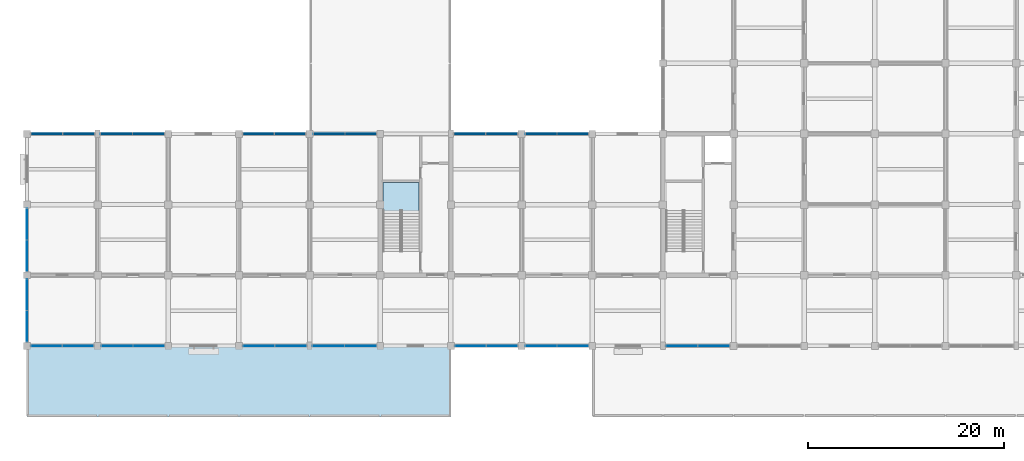
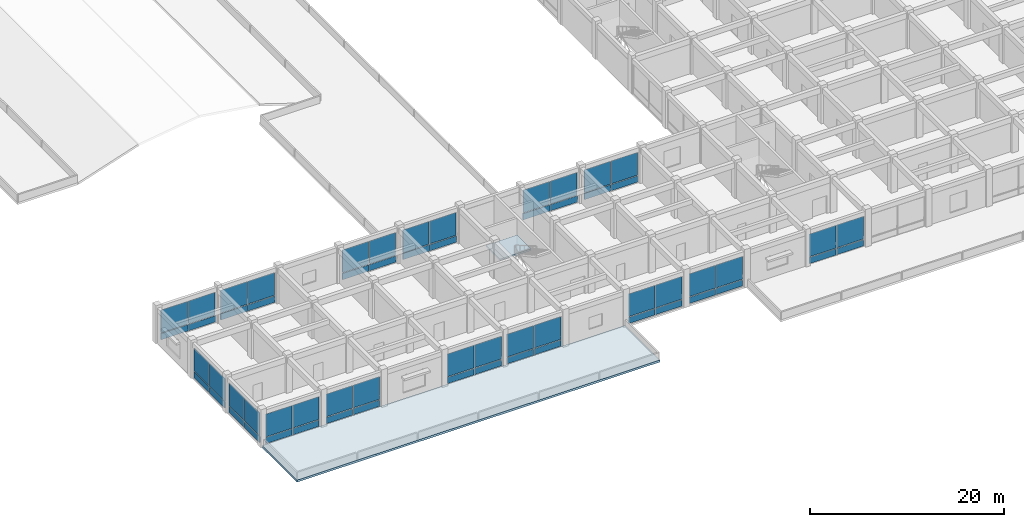
# One storey, part 14 of 30: 60 plates, 2 slabs, 16 elements without a shape of their own.
"""IFC4 building model written with IfcOpenShell, lengths in metres."""

from ifc_helpers import new_model, si_unit, direction, frame, origin, origin_2d, place, context, subcontext, project, spatial, polyline, rectangle, outline, extrude, material, layer, layer_set, type_object, element, aggregate, save


model = new_model("IFC4")

# Units and contexts
model_context = context("Model", 3, precision=1e-05, world=origin(), true_north=direction((0.0, 1.0)))
body_context = subcontext(model_context, "Body", "Model", "MODEL_VIEW")
ifc_project = project(units=[si_unit("LENGTHUNIT", "METRE"), si_unit("AREAUNIT", "SQUARE_METRE"), si_unit("VOLUMEUNIT", "CUBIC_METRE"), si_unit("PLANEANGLEUNIT", "RADIAN"), si_unit("MASSUNIT", "GRAM", prefix="KILO")], contexts=[model_context])

# Site, building, storey
site_placement = place(None, origin())
site = spatial("IfcSite", under=ifc_project, at=site_placement, CompositionType="ELEMENT")
building_placement = place(site_placement, origin())
building = spatial("IfcBuilding", under=site, at=building_placement, Name="Cendaluz Park School", CompositionType="ELEMENT")
storey_placement = place(building_placement, frame((0.0, 0.0, 9.60009765625)))
storey = spatial("IfcBuildingStorey", under=building, at=storey_placement, Name="L02", CompositionType="ELEMENT", Elevation=9.60009765625)

# Curtain wall, plates
ifc_material_1 = material(Name="Anodised Aluminium 6063-T6", Category="aluminium")
ifc_layer_1 = layer(ifc_material_1, 0.179931640625)
ifc_layer_set_1 = layer_set([ifc_layer_1], Name="Anodised Aluminium 6063-T6")
curtain_wall_type_1 = type_object("IfcCurtainWallType", Name="CW-130x78", PredefinedType="NOTDEFINED", material=ifc_layer_set_1)
curtain_wall_1_placement = place(storey_placement, origin())
curtain_wall_1 = element("IfcCurtainWall", 1, at=curtain_wall_1_placement, inside=storey, type_object=curtain_wall_type_1, Name="CW-L02-094", PredefinedType="NOTDEFINED")
ifc_material_2 = material(Name="Tempered Low-E Double Glazing", Category="glass")
ifc_layer_2 = layer(ifc_material_2, 0.028076171875)
ifc_layer_set_2 = layer_set([ifc_layer_2], Name="Tempered Low-E Double Glazing")
plate_type_1 = type_object("IfcPlateType", Name="CWP-G01", PredefinedType="CURTAIN_PANEL", material=ifc_layer_set_2)
plate_1_placement = place(storey_placement, frame((9.195068359375, 7.199951171875, 0.93994140625), z_axis=(0.0, 0.0, 1.0), x_axis=(1.0, 0.0, 0.0)))
plate_1 = element("IfcPlate", 2, at=plate_1_placement, type_object=plate_type_1, Name="CP-L02-1217", PredefinedType="CURTAIN_PANEL", context=body_context, shape_type="SweptSolid", body=[
    extrude(rectangle(XDim=3.1298828125, YDim=0.028076171875, at=origin_2d()), origin(), (0.0, 0.0, 1.0), 2.860107421875),
])
plate_2_placement = place(storey_placement, frame((12.405029296875, 7.199951171875, 0.93994140625), z_axis=(0.0, 0.0, 1.0), x_axis=(1.0, 0.0, 0.0)))
plate_2 = element("IfcPlate", 3, at=plate_2_placement, type_object=plate_type_1, Name="CP-L02-1222", PredefinedType="CURTAIN_PANEL", context=body_context, shape_type="SweptSolid", body=[
    extrude(rectangle(XDim=3.1298828125, YDim=0.028076171875, at=origin_2d()), origin(), (0.0, 0.0, 1.0), 2.860107421875),
])

ifc_layer_3 = layer(ifc_material_1, 0.179931640625)
ifc_layer_set_3 = layer_set([ifc_layer_3], Name="Anodised Aluminium 6063-T6")
curtain_wall_type_2 = type_object("IfcCurtainWallType", Name="CW-132x78", PredefinedType="NOTDEFINED", material=ifc_layer_set_3)
curtain_wall_2_placement = place(storey_placement, origin())
curtain_wall_2 = element("IfcCurtainWall", 4, at=curtain_wall_2_placement, inside=storey, type_object=curtain_wall_type_2, Name="CW-L02-095", PredefinedType="NOTDEFINED")
plate_3_placement = place(storey_placement, frame((9.1201171875, 28.800048828125, 0.93994140625), z_axis=(0.0, 0.0, 1.0), x_axis=(1.0, 0.0, 0.0)))
plate_3 = element("IfcPlate", 5, at=plate_3_placement, type_object=plate_type_1, Name="CP-L02-1230", PredefinedType="CURTAIN_PANEL", context=body_context, shape_type="SweptSolid", body=[
    extrude(rectangle(XDim=3.179931640625, YDim=0.028076171875, at=origin_2d()), origin(), (0.0, 0.0, 1.0), 2.860107421875),
])
plate_4_placement = place(storey_placement, frame((12.3798828125, 28.800048828125, 0.93994140625), z_axis=(0.0, 0.0, 1.0), x_axis=(1.0, 0.0, 0.0)))
plate_4 = element("IfcPlate", 6, at=plate_4_placement, type_object=plate_type_1, Name="CP-L02-1235", PredefinedType="CURTAIN_PANEL", context=body_context, shape_type="SweptSolid", body=[
    extrude(rectangle(XDim=3.179931640625, YDim=0.028076171875, at=origin_2d()), origin(), (0.0, 0.0, 1.0), 2.860107421875),
])

curtain_wall_3_placement = place(storey_placement, origin())
curtain_wall_3 = element("IfcCurtainWall", 7, at=curtain_wall_3_placement, inside=storey, type_object=curtain_wall_type_2, Name="CW-L02-104", PredefinedType="NOTDEFINED")
plate_5_placement = place(storey_placement, frame((66.719970703125, 7.199951171875, 0.93994140625), z_axis=(0.0, 0.0, 1.0), x_axis=(1.0, 0.0, 0.0)))
plate_5 = element("IfcPlate", 8, at=plate_5_placement, type_object=plate_type_1, Name="CP-L02-1347", PredefinedType="CURTAIN_PANEL", context=body_context, shape_type="SweptSolid", body=[
    extrude(rectangle(XDim=3.179931640625, YDim=0.028076171875, at=origin_2d()), origin(), (0.0, 0.0, 1.0), 2.860107421875),
])
plate_6_placement = place(storey_placement, frame((69.97998046875, 7.199951171875, 0.93994140625), z_axis=(0.0, 0.0, 1.0), x_axis=(1.0, 0.0, 0.0)))
plate_6 = element("IfcPlate", 9, at=plate_6_placement, type_object=plate_type_1, Name="CP-L02-1352", PredefinedType="CURTAIN_PANEL", context=body_context, shape_type="SweptSolid", body=[
    extrude(rectangle(XDim=3.179931640625, YDim=0.028076171875, at=origin_2d()), origin(), (0.0, 0.0, 1.0), 2.860107421875),
])

curtain_wall_4_placement = place(storey_placement, origin())
curtain_wall_4 = element("IfcCurtainWall", 10, at=curtain_wall_4_placement, inside=storey, type_object=curtain_wall_type_1, Name="CW-L02-100", PredefinedType="NOTDEFINED")
ifc_layer_4 = layer(ifc_material_2, 0.0380859375)
ifc_layer_set_4 = layer_set([ifc_layer_4], Name="Tempered Low-E Double Glazing")
plate_type_2 = type_object("IfcPlateType", Name="CWP-G02", PredefinedType="CURTAIN_PANEL", material=ifc_layer_set_4)
plate_7_placement = place(storey_placement, frame((45.195068359375, 7.199951171875, 0.93994140625), z_axis=(0.0, 0.0, 1.0), x_axis=(1.0, 0.0, 0.0)))
plate_7 = element("IfcPlate", 11, at=plate_7_placement, type_object=plate_type_2, Name="CP-L02-1295", PredefinedType="CURTAIN_PANEL", context=body_context, shape_type="SweptSolid", body=[
    extrude(rectangle(XDim=3.1298828125, YDim=0.0380859375, at=origin_2d()), origin(), (0.0, 0.0, 1.0), 2.860107421875),
])
plate_8_placement = place(storey_placement, frame((48.405029296875, 7.199951171875, 0.93994140625), z_axis=(0.0, 0.0, 1.0), x_axis=(1.0, 0.0, 0.0)))
plate_8 = element("IfcPlate", 12, at=plate_8_placement, type_object=plate_type_2, Name="CP-L02-1300", PredefinedType="CURTAIN_PANEL", context=body_context, shape_type="SweptSolid", body=[
    extrude(rectangle(XDim=3.1298828125, YDim=0.0380859375, at=origin_2d()), origin(), (0.0, 0.0, 1.0), 2.860107421875),
])

curtain_wall_5_placement = place(storey_placement, origin())
curtain_wall_5 = element("IfcCurtainWall", 13, at=curtain_wall_5_placement, inside=storey, type_object=curtain_wall_type_2, Name="CW-L02-101", PredefinedType="NOTDEFINED")
plate_9_placement = place(storey_placement, frame((45.1201171875, 28.800048828125, 0.93994140625), z_axis=(0.0, 0.0, 1.0), x_axis=(1.0, 0.0, 0.0)))
plate_9 = element("IfcPlate", 14, at=plate_9_placement, type_object=plate_type_2, Name="CP-L02-1308", PredefinedType="CURTAIN_PANEL", context=body_context, shape_type="SweptSolid", body=[
    extrude(rectangle(XDim=3.179931640625, YDim=0.0380859375, at=origin_2d()), origin(), (0.0, 0.0, 1.0), 2.860107421875),
])
plate_10_placement = place(storey_placement, frame((48.3798828125, 28.800048828125, 0.93994140625), z_axis=(0.0, 0.0, 1.0), x_axis=(1.0, 0.0, 0.0)))
plate_10 = element("IfcPlate", 15, at=plate_10_placement, type_object=plate_type_2, Name="CP-L02-1313", PredefinedType="CURTAIN_PANEL", context=body_context, shape_type="SweptSolid", body=[
    extrude(rectangle(XDim=3.179931640625, YDim=0.0380859375, at=origin_2d()), origin(), (0.0, 0.0, 1.0), 2.860107421875),
])

curtain_wall_6_placement = place(storey_placement, origin())
curtain_wall_6 = element("IfcCurtainWall", 16, at=curtain_wall_6_placement, inside=storey, type_object=curtain_wall_type_2, Name="CW-L02-096", PredefinedType="NOTDEFINED")
ifc_layer_5 = layer(ifc_material_2, 0.048095703125)
ifc_layer_set_5 = layer_set([ifc_layer_5], Name="Tempered Low-E Double Glazing")
plate_type_3 = type_object("IfcPlateType", Name="CWP-G03", PredefinedType="CURTAIN_PANEL", material=ifc_layer_set_5)
plate_11_placement = place(storey_placement, frame((23.6201171875, 7.199951171875, 0.93994140625), z_axis=(0.0, 0.0, 1.0), x_axis=(1.0, 0.0, 0.0)))
plate_11 = element("IfcPlate", 17, at=plate_11_placement, type_object=plate_type_3, Name="CP-L02-1243", PredefinedType="CURTAIN_PANEL", context=body_context, shape_type="SweptSolid", body=[
    extrude(rectangle(XDim=3.179931640625, YDim=0.048095703125, at=origin_2d()), origin(), (0.0, 0.0, 1.0), 2.860107421875),
])
plate_12_placement = place(storey_placement, frame((26.8798828125, 7.199951171875, 0.93994140625), z_axis=(0.0, 0.0, 1.0), x_axis=(1.0, 0.0, 0.0)))
plate_12 = element("IfcPlate", 18, at=plate_12_placement, type_object=plate_type_3, Name="CP-L02-1248", PredefinedType="CURTAIN_PANEL", context=body_context, shape_type="SweptSolid", body=[
    extrude(rectangle(XDim=3.179931640625, YDim=0.048095703125, at=origin_2d()), origin(), (0.0, 0.0, 1.0), 2.860107421875),
])

curtain_wall_7_placement = place(storey_placement, origin())
curtain_wall_7 = element("IfcCurtainWall", 19, at=curtain_wall_7_placement, inside=storey, type_object=curtain_wall_type_1, Name="CW-L02-097", PredefinedType="NOTDEFINED")
plate_13_placement = place(storey_placement, frame((23.594970703125, 28.800048828125, 0.93994140625), z_axis=(0.0, 0.0, 1.0), x_axis=(1.0, 0.0, 0.0)))
plate_13 = element("IfcPlate", 20, at=plate_13_placement, type_object=plate_type_3, Name="CP-L02-1256", PredefinedType="CURTAIN_PANEL", context=body_context, shape_type="SweptSolid", body=[
    extrude(rectangle(XDim=3.1298828125, YDim=0.048095703125, at=origin_2d()), origin(), (0.0, 0.0, 1.0), 2.860107421875),
])
plate_14_placement = place(storey_placement, frame((26.804931640625, 28.800048828125, 0.93994140625), z_axis=(0.0, 0.0, 1.0), x_axis=(1.0, 0.0, 0.0)))
plate_14 = element("IfcPlate", 21, at=plate_14_placement, type_object=plate_type_3, Name="CP-L02-1261", PredefinedType="CURTAIN_PANEL", context=body_context, shape_type="SweptSolid", body=[
    extrude(rectangle(XDim=3.1298828125, YDim=0.048095703125, at=origin_2d()), origin(), (0.0, 0.0, 1.0), 2.860107421875),
])

curtain_wall_8_placement = place(storey_placement, origin())
curtain_wall_8 = element("IfcCurtainWall", 22, at=curtain_wall_8_placement, inside=storey, type_object=curtain_wall_type_1, Name="CW-L02-102", PredefinedType="NOTDEFINED")
plate_15_placement = place(storey_placement, frame((52.39501953125, 7.199951171875, 0.93994140625), z_axis=(0.0, 0.0, 1.0), x_axis=(1.0, 0.0, 0.0)))
plate_15 = element("IfcPlate", 23, at=plate_15_placement, type_object=plate_type_3, Name="CP-L02-1321", PredefinedType="CURTAIN_PANEL", context=body_context, shape_type="SweptSolid", body=[
    extrude(rectangle(XDim=3.1298828125, YDim=0.048095703125, at=origin_2d()), origin(), (0.0, 0.0, 1.0), 2.860107421875),
])
plate_16_placement = place(storey_placement, frame((55.60498046875, 7.199951171875, 0.93994140625), z_axis=(0.0, 0.0, 1.0), x_axis=(1.0, 0.0, 0.0)))
plate_16 = element("IfcPlate", 24, at=plate_16_placement, type_object=plate_type_3, Name="CP-L02-1326", PredefinedType="CURTAIN_PANEL", context=body_context, shape_type="SweptSolid", body=[
    extrude(rectangle(XDim=3.1298828125, YDim=0.048095703125, at=origin_2d()), origin(), (0.0, 0.0, 1.0), 2.860107421875),
])

curtain_wall_9_placement = place(storey_placement, origin())
curtain_wall_9 = element("IfcCurtainWall", 25, at=curtain_wall_9_placement, inside=storey, type_object=curtain_wall_type_1, Name="CW-L02-103", PredefinedType="NOTDEFINED")
plate_17_placement = place(storey_placement, frame((52.39501953125, 28.800048828125, 0.93994140625), z_axis=(0.0, 0.0, 1.0), x_axis=(1.0, 0.0, 0.0)))
plate_17 = element("IfcPlate", 26, at=plate_17_placement, type_object=plate_type_3, Name="CP-L02-1334", PredefinedType="CURTAIN_PANEL", context=body_context, shape_type="SweptSolid", body=[
    extrude(rectangle(XDim=3.1298828125, YDim=0.048095703125, at=origin_2d()), origin(), (0.0, 0.0, 1.0), 2.860107421875),
])
plate_18_placement = place(storey_placement, frame((55.60498046875, 28.800048828125, 0.93994140625), z_axis=(0.0, 0.0, 1.0), x_axis=(1.0, 0.0, 0.0)))
plate_18 = element("IfcPlate", 27, at=plate_18_placement, type_object=plate_type_3, Name="CP-L02-1339", PredefinedType="CURTAIN_PANEL", context=body_context, shape_type="SweptSolid", body=[
    extrude(rectangle(XDim=3.1298828125, YDim=0.048095703125, at=origin_2d()), origin(), (0.0, 0.0, 1.0), 2.860107421875),
])

curtain_wall_10_placement = place(storey_placement, origin())
curtain_wall_10 = element("IfcCurtainWall", 28, at=curtain_wall_10_placement, inside=storey, type_object=curtain_wall_type_1, Name="CW-L02-090", PredefinedType="NOTDEFINED")
ifc_layer_6 = layer(ifc_material_2, 0.05810546875)
ifc_layer_set_6 = layer_set([ifc_layer_6], Name="Tempered Low-E Double Glazing")
plate_type_4 = type_object("IfcPlateType", Name="CWP-G04", PredefinedType="CURTAIN_PANEL", material=ifc_layer_set_6)
plate_19_placement = place(storey_placement, frame((1.9951171875, 7.199951171875, 0.93994140625), z_axis=(0.0, 0.0, 1.0), x_axis=(1.0, 0.0, 0.0)))
plate_19 = element("IfcPlate", 29, at=plate_19_placement, type_object=plate_type_4, Name="CP-L02-1165", PredefinedType="CURTAIN_PANEL", context=body_context, shape_type="SweptSolid", body=[
    extrude(rectangle(XDim=3.1298828125, YDim=0.05810546875, at=origin_2d()), origin(), (0.0, 0.0, 1.0), 2.860107421875),
])
plate_20_placement = place(storey_placement, frame((5.205078125, 7.199951171875, 0.93994140625), z_axis=(0.0, 0.0, 1.0), x_axis=(1.0, 0.0, 0.0)))
plate_20 = element("IfcPlate", 30, at=plate_20_placement, type_object=plate_type_4, Name="CP-L02-1170", PredefinedType="CURTAIN_PANEL", context=body_context, shape_type="SweptSolid", body=[
    extrude(rectangle(XDim=3.1298828125, YDim=0.05810546875, at=origin_2d()), origin(), (0.0, 0.0, 1.0), 2.860107421875),
])

curtain_wall_11_placement = place(storey_placement, origin())
curtain_wall_11 = element("IfcCurtainWall", 31, at=curtain_wall_11_placement, inside=storey, type_object=curtain_wall_type_1, Name="CW-L02-091", PredefinedType="NOTDEFINED")
plate_21_placement = place(storey_placement, frame((0.0, 9.195068359375, 0.93994140625), z_axis=(0.0, 0.0, 1.0), x_axis=(0.0, 1.0, 0.0)))
plate_21 = element("IfcPlate", 32, at=plate_21_placement, type_object=plate_type_4, Name="CP-L02-1178", PredefinedType="CURTAIN_PANEL", context=body_context, shape_type="SweptSolid", body=[
    extrude(rectangle(XDim=3.1298828125, YDim=0.05810546875, at=origin_2d()), origin(), (0.0, 0.0, 1.0), 2.860107421875),
])
plate_22_placement = place(storey_placement, frame((0.0, 12.405029296875, 0.93994140625), z_axis=(0.0, 0.0, 1.0), x_axis=(0.0, 1.0, 0.0)))
plate_22 = element("IfcPlate", 33, at=plate_22_placement, type_object=plate_type_4, Name="CP-L02-1183", PredefinedType="CURTAIN_PANEL", context=body_context, shape_type="SweptSolid", body=[
    extrude(rectangle(XDim=3.1298828125, YDim=0.05810546875, at=origin_2d()), origin(), (0.0, 0.0, 1.0), 2.860107421875),
])

curtain_wall_12_placement = place(storey_placement, origin())
curtain_wall_12 = element("IfcCurtainWall", 34, at=curtain_wall_12_placement, inside=storey, type_object=curtain_wall_type_1, Name="CW-L02-092", PredefinedType="NOTDEFINED")
plate_23_placement = place(storey_placement, frame((0.0, 16.39501953125, 0.93994140625), z_axis=(0.0, 0.0, 1.0), x_axis=(0.0, 1.0, 0.0)))
plate_23 = element("IfcPlate", 35, at=plate_23_placement, type_object=plate_type_4, Name="CP-L02-1191", PredefinedType="CURTAIN_PANEL", context=body_context, shape_type="SweptSolid", body=[
    extrude(rectangle(XDim=3.1298828125, YDim=0.05810546875, at=origin_2d()), origin(), (0.0, 0.0, 1.0), 2.860107421875),
])
plate_24_placement = place(storey_placement, frame((0.0, 19.60498046875, 0.93994140625), z_axis=(0.0, 0.0, 1.0), x_axis=(0.0, 1.0, 0.0)))
plate_24 = element("IfcPlate", 36, at=plate_24_placement, type_object=plate_type_4, Name="CP-L02-1196", PredefinedType="CURTAIN_PANEL", context=body_context, shape_type="SweptSolid", body=[
    extrude(rectangle(XDim=3.1298828125, YDim=0.05810546875, at=origin_2d()), origin(), (0.0, 0.0, 1.0), 2.860107421875),
])

curtain_wall_13_placement = place(storey_placement, origin())
curtain_wall_13 = element("IfcCurtainWall", 37, at=curtain_wall_13_placement, inside=storey, type_object=curtain_wall_type_2, Name="CW-L02-093", PredefinedType="NOTDEFINED")
plate_25_placement = place(storey_placement, frame((2.02001953125, 28.800048828125, 0.93994140625), z_axis=(0.0, 0.0, 1.0), x_axis=(1.0, 0.0, 0.0)))
plate_25 = element("IfcPlate", 38, at=plate_25_placement, type_object=plate_type_4, Name="CP-L02-1204", PredefinedType="CURTAIN_PANEL", context=body_context, shape_type="SweptSolid", body=[
    extrude(rectangle(XDim=3.179931640625, YDim=0.05810546875, at=origin_2d()), origin(), (0.0, 0.0, 1.0), 2.860107421875),
])
plate_26_placement = place(storey_placement, frame((5.280029296875, 28.800048828125, 0.93994140625), z_axis=(0.0, 0.0, 1.0), x_axis=(1.0, 0.0, 0.0)))
plate_26 = element("IfcPlate", 39, at=plate_26_placement, type_object=plate_type_4, Name="CP-L02-1209", PredefinedType="CURTAIN_PANEL", context=body_context, shape_type="SweptSolid", body=[
    extrude(rectangle(XDim=3.179931640625, YDim=0.05810546875, at=origin_2d()), origin(), (0.0, 0.0, 1.0), 2.860107421875),
])

curtain_wall_14_placement = place(storey_placement, origin())
curtain_wall_14 = element("IfcCurtainWall", 40, at=curtain_wall_14_placement, inside=storey, type_object=curtain_wall_type_2, Name="CW-L02-098", PredefinedType="NOTDEFINED")
plate_27_placement = place(storey_placement, frame((30.719970703125, 7.199951171875, 0.93994140625), z_axis=(0.0, 0.0, 1.0), x_axis=(1.0, 0.0, 0.0)))
plate_27 = element("IfcPlate", 41, at=plate_27_placement, type_object=plate_type_4, Name="CP-L02-1269", PredefinedType="CURTAIN_PANEL", context=body_context, shape_type="SweptSolid", body=[
    extrude(rectangle(XDim=3.179931640625, YDim=0.05810546875, at=origin_2d()), origin(), (0.0, 0.0, 1.0), 2.860107421875),
])
plate_28_placement = place(storey_placement, frame((33.97998046875, 7.199951171875, 0.93994140625), z_axis=(0.0, 0.0, 1.0), x_axis=(1.0, 0.0, 0.0)))
plate_28 = element("IfcPlate", 42, at=plate_28_placement, type_object=plate_type_4, Name="CP-L02-1274", PredefinedType="CURTAIN_PANEL", context=body_context, shape_type="SweptSolid", body=[
    extrude(rectangle(XDim=3.179931640625, YDim=0.05810546875, at=origin_2d()), origin(), (0.0, 0.0, 1.0), 2.860107421875),
])

curtain_wall_15_placement = place(storey_placement, origin())
curtain_wall_15 = element("IfcCurtainWall", 43, at=curtain_wall_15_placement, inside=storey, type_object=curtain_wall_type_1, Name="CW-L02-099", PredefinedType="NOTDEFINED")
plate_29_placement = place(storey_placement, frame((30.794921875, 28.800048828125, 0.93994140625), z_axis=(0.0, 0.0, 1.0), x_axis=(1.0, 0.0, 0.0)))
plate_29 = element("IfcPlate", 44, at=plate_29_placement, type_object=plate_type_4, Name="CP-L02-1282", PredefinedType="CURTAIN_PANEL", context=body_context, shape_type="SweptSolid", body=[
    extrude(rectangle(XDim=3.1298828125, YDim=0.05810546875, at=origin_2d()), origin(), (0.0, 0.0, 1.0), 2.860107421875),
])
plate_30_placement = place(storey_placement, frame((34.0048828125, 28.800048828125, 0.93994140625), z_axis=(0.0, 0.0, 1.0), x_axis=(1.0, 0.0, 0.0)))
plate_30 = element("IfcPlate", 45, at=plate_30_placement, type_object=plate_type_4, Name="CP-L02-1287", PredefinedType="CURTAIN_PANEL", context=body_context, shape_type="SweptSolid", body=[
    extrude(rectangle(XDim=3.1298828125, YDim=0.05810546875, at=origin_2d()), origin(), (0.0, 0.0, 1.0), 2.860107421875),
])

# Plate
ifc_layer_7 = layer(ifc_material_1, 0.080078125)
ifc_layer_set_7 = layer_set([ifc_layer_7], Name="Anodised Aluminium 6063-T6")
plate_type_5 = type_object("IfcPlateType", Name="CWP-S01", PredefinedType="CURTAIN_PANEL", material=ifc_layer_set_7)
plate_31_placement = place(storey_placement, frame((1.9951171875, 7.199951171875, 0.080078125), z_axis=(0.0, 0.0, 1.0), x_axis=(1.0, 0.0, 0.0)))
plate_31 = element("IfcPlate", 46, at=plate_31_placement, type_object=plate_type_5, Name="CP-L02-1164", PredefinedType="CURTAIN_PANEL", context=body_context, shape_type="SweptSolid", body=[
    extrude(rectangle(XDim=3.1298828125, YDim=0.080078125, at=origin_2d()), origin(), (0.0, 0.0, 1.0), 0.780029296875),
])

plate_32_placement = place(storey_placement, frame((5.205078125, 7.199951171875, 0.080078125), z_axis=(0.0, 0.0, 1.0), x_axis=(1.0, 0.0, 0.0)))
plate_32 = element("IfcPlate", 47, at=plate_32_placement, type_object=plate_type_5, Name="CP-L02-1169", PredefinedType="CURTAIN_PANEL", context=body_context, shape_type="SweptSolid", body=[
    extrude(rectangle(XDim=3.1298828125, YDim=0.080078125, at=origin_2d()), origin(), (0.0, 0.0, 1.0), 0.780029296875),
])

aggregate(curtain_wall_10, [plate_31, plate_19, plate_32, plate_20])

plate_33_placement = place(storey_placement, frame((0.0, 9.195068359375, 0.080078125), z_axis=(0.0, 0.0, 1.0), x_axis=(0.0, 1.0, 0.0)))
plate_33 = element("IfcPlate", 48, at=plate_33_placement, type_object=plate_type_5, Name="CP-L02-1177", PredefinedType="CURTAIN_PANEL", context=body_context, shape_type="SweptSolid", body=[
    extrude(rectangle(XDim=3.1298828125, YDim=0.080078125, at=origin_2d()), origin(), (0.0, 0.0, 1.0), 0.780029296875),
])

plate_34_placement = place(storey_placement, frame((0.0, 12.405029296875, 0.080078125), z_axis=(0.0, 0.0, 1.0), x_axis=(0.0, 1.0, 0.0)))
plate_34 = element("IfcPlate", 49, at=plate_34_placement, type_object=plate_type_5, Name="CP-L02-1182", PredefinedType="CURTAIN_PANEL", context=body_context, shape_type="SweptSolid", body=[
    extrude(rectangle(XDim=3.1298828125, YDim=0.080078125, at=origin_2d()), origin(), (0.0, 0.0, 1.0), 0.780029296875),
])

aggregate(curtain_wall_11, [plate_33, plate_21, plate_34, plate_22])

plate_35_placement = place(storey_placement, frame((9.195068359375, 7.199951171875, 0.080078125), z_axis=(0.0, 0.0, 1.0), x_axis=(1.0, 0.0, 0.0)))
plate_35 = element("IfcPlate", 50, at=plate_35_placement, type_object=plate_type_5, Name="CP-L02-1216", PredefinedType="CURTAIN_PANEL", context=body_context, shape_type="SweptSolid", body=[
    extrude(rectangle(XDim=3.1298828125, YDim=0.080078125, at=origin_2d()), origin(), (0.0, 0.0, 1.0), 0.780029296875),
])

plate_36_placement = place(storey_placement, frame((12.405029296875, 7.199951171875, 0.080078125), z_axis=(0.0, 0.0, 1.0), x_axis=(1.0, 0.0, 0.0)))
plate_36 = element("IfcPlate", 51, at=plate_36_placement, type_object=plate_type_5, Name="CP-L02-1221", PredefinedType="CURTAIN_PANEL", context=body_context, shape_type="SweptSolid", body=[
    extrude(rectangle(XDim=3.1298828125, YDim=0.080078125, at=origin_2d()), origin(), (0.0, 0.0, 1.0), 0.780029296875),
])

aggregate(curtain_wall_1, [plate_35, plate_1, plate_36, plate_2])

plate_37_placement = place(storey_placement, frame((23.6201171875, 7.199951171875, 0.080078125), z_axis=(0.0, 0.0, 1.0), x_axis=(1.0, 0.0, 0.0)))
plate_37 = element("IfcPlate", 52, at=plate_37_placement, type_object=plate_type_5, Name="CP-L02-1242", PredefinedType="CURTAIN_PANEL", context=body_context, shape_type="SweptSolid", body=[
    extrude(rectangle(XDim=3.179931640625, YDim=0.080078125, at=origin_2d()), origin(), (0.0, 0.0, 1.0), 0.780029296875),
])

plate_38_placement = place(storey_placement, frame((26.8798828125, 7.199951171875, 0.080078125), z_axis=(0.0, 0.0, 1.0), x_axis=(1.0, 0.0, 0.0)))
plate_38 = element("IfcPlate", 53, at=plate_38_placement, type_object=plate_type_5, Name="CP-L02-1247", PredefinedType="CURTAIN_PANEL", context=body_context, shape_type="SweptSolid", body=[
    extrude(rectangle(XDim=3.179931640625, YDim=0.080078125, at=origin_2d()), origin(), (0.0, 0.0, 1.0), 0.780029296875),
])

aggregate(curtain_wall_6, [plate_37, plate_11, plate_38, plate_12])

plate_39_placement = place(storey_placement, frame((30.719970703125, 7.199951171875, 0.080078125), z_axis=(0.0, 0.0, 1.0), x_axis=(1.0, 0.0, 0.0)))
plate_39 = element("IfcPlate", 54, at=plate_39_placement, type_object=plate_type_5, Name="CP-L02-1268", PredefinedType="CURTAIN_PANEL", context=body_context, shape_type="SweptSolid", body=[
    extrude(rectangle(XDim=3.179931640625, YDim=0.080078125, at=origin_2d()), origin(), (0.0, 0.0, 1.0), 0.780029296875),
])

plate_40_placement = place(storey_placement, frame((33.97998046875, 7.199951171875, 0.080078125), z_axis=(0.0, 0.0, 1.0), x_axis=(1.0, 0.0, 0.0)))
plate_40 = element("IfcPlate", 55, at=plate_40_placement, type_object=plate_type_5, Name="CP-L02-1273", PredefinedType="CURTAIN_PANEL", context=body_context, shape_type="SweptSolid", body=[
    extrude(rectangle(XDim=3.179931640625, YDim=0.080078125, at=origin_2d()), origin(), (0.0, 0.0, 1.0), 0.780029296875),
])

aggregate(curtain_wall_14, [plate_39, plate_27, plate_40, plate_28])

plate_41_placement = place(storey_placement, frame((45.195068359375, 7.199951171875, 0.080078125), z_axis=(0.0, 0.0, 1.0), x_axis=(1.0, 0.0, 0.0)))
plate_41 = element("IfcPlate", 56, at=plate_41_placement, type_object=plate_type_5, Name="CP-L02-1294", PredefinedType="CURTAIN_PANEL", context=body_context, shape_type="SweptSolid", body=[
    extrude(rectangle(XDim=3.1298828125, YDim=0.080078125, at=origin_2d()), origin(), (0.0, 0.0, 1.0), 0.780029296875),
])

plate_42_placement = place(storey_placement, frame((48.405029296875, 7.199951171875, 0.080078125), z_axis=(0.0, 0.0, 1.0), x_axis=(1.0, 0.0, 0.0)))
plate_42 = element("IfcPlate", 57, at=plate_42_placement, type_object=plate_type_5, Name="CP-L02-1299", PredefinedType="CURTAIN_PANEL", context=body_context, shape_type="SweptSolid", body=[
    extrude(rectangle(XDim=3.1298828125, YDim=0.080078125, at=origin_2d()), origin(), (0.0, 0.0, 1.0), 0.780029296875),
])

aggregate(curtain_wall_4, [plate_41, plate_7, plate_42, plate_8])

plate_43_placement = place(storey_placement, frame((52.39501953125, 7.199951171875, 0.080078125), z_axis=(0.0, 0.0, 1.0), x_axis=(1.0, 0.0, 0.0)))
plate_43 = element("IfcPlate", 58, at=plate_43_placement, type_object=plate_type_5, Name="CP-L02-1320", PredefinedType="CURTAIN_PANEL", context=body_context, shape_type="SweptSolid", body=[
    extrude(rectangle(XDim=3.1298828125, YDim=0.080078125, at=origin_2d()), origin(), (0.0, 0.0, 1.0), 0.780029296875),
])

plate_44_placement = place(storey_placement, frame((55.60498046875, 7.199951171875, 0.080078125), z_axis=(0.0, 0.0, 1.0), x_axis=(1.0, 0.0, 0.0)))
plate_44 = element("IfcPlate", 59, at=plate_44_placement, type_object=plate_type_5, Name="CP-L02-1325", PredefinedType="CURTAIN_PANEL", context=body_context, shape_type="SweptSolid", body=[
    extrude(rectangle(XDim=3.1298828125, YDim=0.080078125, at=origin_2d()), origin(), (0.0, 0.0, 1.0), 0.780029296875),
])

aggregate(curtain_wall_8, [plate_43, plate_15, plate_44, plate_16])

plate_45_placement = place(storey_placement, frame((66.719970703125, 7.199951171875, 0.080078125), z_axis=(0.0, 0.0, 1.0), x_axis=(1.0, 0.0, 0.0)))
plate_45 = element("IfcPlate", 60, at=plate_45_placement, type_object=plate_type_5, Name="CP-L02-1346", PredefinedType="CURTAIN_PANEL", context=body_context, shape_type="SweptSolid", body=[
    extrude(rectangle(XDim=3.179931640625, YDim=0.080078125, at=origin_2d()), origin(), (0.0, 0.0, 1.0), 0.780029296875),
])

plate_46_placement = place(storey_placement, frame((69.97998046875, 7.199951171875, 0.080078125), z_axis=(0.0, 0.0, 1.0), x_axis=(1.0, 0.0, 0.0)))
plate_46 = element("IfcPlate", 61, at=plate_46_placement, type_object=plate_type_5, Name="CP-L02-1351", PredefinedType="CURTAIN_PANEL", context=body_context, shape_type="SweptSolid", body=[
    extrude(rectangle(XDim=3.179931640625, YDim=0.080078125, at=origin_2d()), origin(), (0.0, 0.0, 1.0), 0.780029296875),
])

aggregate(curtain_wall_3, [plate_45, plate_5, plate_46, plate_6])

ifc_layer_8 = layer(ifc_material_1, 0.094970703125)
ifc_layer_set_8 = layer_set([ifc_layer_8], Name="Anodised Aluminium 6063-T6")
plate_type_6 = type_object("IfcPlateType", Name="CWP-S02", PredefinedType="CURTAIN_PANEL", material=ifc_layer_set_8)
plate_47_placement = place(storey_placement, frame((0.0, 16.39501953125, 0.080078125), z_axis=(0.0, 0.0, 1.0), x_axis=(0.0, 1.0, 0.0)))
plate_47 = element("IfcPlate", 62, at=plate_47_placement, type_object=plate_type_6, Name="CP-L02-1190", PredefinedType="CURTAIN_PANEL", context=body_context, shape_type="SweptSolid", body=[
    extrude(rectangle(XDim=3.1298828125, YDim=0.094970703125, at=origin_2d()), origin(), (0.0, 0.0, 1.0), 0.780029296875),
])

plate_48_placement = place(storey_placement, frame((0.0, 19.60498046875, 0.080078125), z_axis=(0.0, 0.0, 1.0), x_axis=(0.0, 1.0, 0.0)))
plate_48 = element("IfcPlate", 63, at=plate_48_placement, type_object=plate_type_6, Name="CP-L02-1195", PredefinedType="CURTAIN_PANEL", context=body_context, shape_type="SweptSolid", body=[
    extrude(rectangle(XDim=3.1298828125, YDim=0.094970703125, at=origin_2d()), origin(), (0.0, 0.0, 1.0), 0.780029296875),
])

aggregate(curtain_wall_12, [plate_47, plate_23, plate_48, plate_24])

ifc_layer_9 = layer(ifc_material_1, 0.125)
ifc_layer_set_9 = layer_set([ifc_layer_9], Name="Anodised Aluminium 6063-T6")
plate_type_7 = type_object("IfcPlateType", Name="CWP-S04", PredefinedType="CURTAIN_PANEL", material=ifc_layer_set_9)
plate_49_placement = place(storey_placement, frame((2.02001953125, 28.800048828125, 0.080078125), z_axis=(0.0, 0.0, 1.0), x_axis=(1.0, 0.0, 0.0)))
plate_49 = element("IfcPlate", 64, at=plate_49_placement, type_object=plate_type_7, Name="CP-L02-1203", PredefinedType="CURTAIN_PANEL", context=body_context, shape_type="SweptSolid", body=[
    extrude(rectangle(XDim=3.179931640625, YDim=0.125, at=origin_2d()), origin(), (0.0, 0.0, 1.0), 0.780029296875),
])

plate_50_placement = place(storey_placement, frame((5.280029296875, 28.800048828125, 0.080078125), z_axis=(0.0, 0.0, 1.0), x_axis=(1.0, 0.0, 0.0)))
plate_50 = element("IfcPlate", 65, at=plate_50_placement, type_object=plate_type_7, Name="CP-L02-1208", PredefinedType="CURTAIN_PANEL", context=body_context, shape_type="SweptSolid", body=[
    extrude(rectangle(XDim=3.179931640625, YDim=0.125, at=origin_2d()), origin(), (0.0, 0.0, 1.0), 0.780029296875),
])

aggregate(curtain_wall_13, [plate_49, plate_25, plate_50, plate_26])

plate_51_placement = place(storey_placement, frame((9.1201171875, 28.800048828125, 0.080078125), z_axis=(0.0, 0.0, 1.0), x_axis=(1.0, 0.0, 0.0)))
plate_51 = element("IfcPlate", 66, at=plate_51_placement, type_object=plate_type_7, Name="CP-L02-1229", PredefinedType="CURTAIN_PANEL", context=body_context, shape_type="SweptSolid", body=[
    extrude(rectangle(XDim=3.179931640625, YDim=0.125, at=origin_2d()), origin(), (0.0, 0.0, 1.0), 0.780029296875),
])

plate_52_placement = place(storey_placement, frame((12.3798828125, 28.800048828125, 0.080078125), z_axis=(0.0, 0.0, 1.0), x_axis=(1.0, 0.0, 0.0)))
plate_52 = element("IfcPlate", 67, at=plate_52_placement, type_object=plate_type_7, Name="CP-L02-1234", PredefinedType="CURTAIN_PANEL", context=body_context, shape_type="SweptSolid", body=[
    extrude(rectangle(XDim=3.179931640625, YDim=0.125, at=origin_2d()), origin(), (0.0, 0.0, 1.0), 0.780029296875),
])

aggregate(curtain_wall_2, [plate_51, plate_3, plate_52, plate_4])

plate_53_placement = place(storey_placement, frame((23.594970703125, 28.800048828125, 0.080078125), z_axis=(0.0, 0.0, 1.0), x_axis=(1.0, 0.0, 0.0)))
plate_53 = element("IfcPlate", 68, at=plate_53_placement, type_object=plate_type_7, Name="CP-L02-1255", PredefinedType="CURTAIN_PANEL", context=body_context, shape_type="SweptSolid", body=[
    extrude(rectangle(XDim=3.1298828125, YDim=0.125, at=origin_2d()), origin(), (0.0, 0.0, 1.0), 0.780029296875),
])

plate_54_placement = place(storey_placement, frame((26.804931640625, 28.800048828125, 0.080078125), z_axis=(0.0, 0.0, 1.0), x_axis=(1.0, 0.0, 0.0)))
plate_54 = element("IfcPlate", 69, at=plate_54_placement, type_object=plate_type_7, Name="CP-L02-1260", PredefinedType="CURTAIN_PANEL", context=body_context, shape_type="SweptSolid", body=[
    extrude(rectangle(XDim=3.1298828125, YDim=0.125, at=origin_2d()), origin(), (0.0, 0.0, 1.0), 0.780029296875),
])

aggregate(curtain_wall_7, [plate_53, plate_13, plate_54, plate_14])

plate_55_placement = place(storey_placement, frame((30.794921875, 28.800048828125, 0.080078125), z_axis=(0.0, 0.0, 1.0), x_axis=(1.0, 0.0, 0.0)))
plate_55 = element("IfcPlate", 70, at=plate_55_placement, type_object=plate_type_7, Name="CP-L02-1281", PredefinedType="CURTAIN_PANEL", context=body_context, shape_type="SweptSolid", body=[
    extrude(rectangle(XDim=3.1298828125, YDim=0.125, at=origin_2d()), origin(), (0.0, 0.0, 1.0), 0.780029296875),
])

plate_56_placement = place(storey_placement, frame((34.0048828125, 28.800048828125, 0.080078125), z_axis=(0.0, 0.0, 1.0), x_axis=(1.0, 0.0, 0.0)))
plate_56 = element("IfcPlate", 71, at=plate_56_placement, type_object=plate_type_7, Name="CP-L02-1286", PredefinedType="CURTAIN_PANEL", context=body_context, shape_type="SweptSolid", body=[
    extrude(rectangle(XDim=3.1298828125, YDim=0.125, at=origin_2d()), origin(), (0.0, 0.0, 1.0), 0.780029296875),
])

aggregate(curtain_wall_15, [plate_55, plate_29, plate_56, plate_30])

plate_57_placement = place(storey_placement, frame((45.1201171875, 28.800048828125, 0.080078125), z_axis=(0.0, 0.0, 1.0), x_axis=(1.0, 0.0, 0.0)))
plate_57 = element("IfcPlate", 72, at=plate_57_placement, type_object=plate_type_7, Name="CP-L02-1307", PredefinedType="CURTAIN_PANEL", context=body_context, shape_type="SweptSolid", body=[
    extrude(rectangle(XDim=3.179931640625, YDim=0.125, at=origin_2d()), origin(), (0.0, 0.0, 1.0), 0.780029296875),
])

plate_58_placement = place(storey_placement, frame((48.3798828125, 28.800048828125, 0.080078125), z_axis=(0.0, 0.0, 1.0), x_axis=(1.0, 0.0, 0.0)))
plate_58 = element("IfcPlate", 73, at=plate_58_placement, type_object=plate_type_7, Name="CP-L02-1312", PredefinedType="CURTAIN_PANEL", context=body_context, shape_type="SweptSolid", body=[
    extrude(rectangle(XDim=3.179931640625, YDim=0.125, at=origin_2d()), origin(), (0.0, 0.0, 1.0), 0.780029296875),
])

aggregate(curtain_wall_5, [plate_57, plate_9, plate_58, plate_10])

plate_59_placement = place(storey_placement, frame((52.39501953125, 28.800048828125, 0.080078125), z_axis=(0.0, 0.0, 1.0), x_axis=(1.0, 0.0, 0.0)))
plate_59 = element("IfcPlate", 74, at=plate_59_placement, type_object=plate_type_7, Name="CP-L02-1333", PredefinedType="CURTAIN_PANEL", context=body_context, shape_type="SweptSolid", body=[
    extrude(rectangle(XDim=3.1298828125, YDim=0.125, at=origin_2d()), origin(), (0.0, 0.0, 1.0), 0.780029296875),
])

plate_60_placement = place(storey_placement, frame((55.60498046875, 28.800048828125, 0.080078125), z_axis=(0.0, 0.0, 1.0), x_axis=(1.0, 0.0, 0.0)))
plate_60 = element("IfcPlate", 75, at=plate_60_placement, type_object=plate_type_7, Name="CP-L02-1338", PredefinedType="CURTAIN_PANEL", context=body_context, shape_type="SweptSolid", body=[
    extrude(rectangle(XDim=3.1298828125, YDim=0.125, at=origin_2d()), origin(), (0.0, 0.0, 1.0), 0.780029296875),
])

aggregate(curtain_wall_9, [plate_59, plate_17, plate_60, plate_18])

# Stair, slab
ifc_material_3 = material(Name="Concrete C40/50", Category="concrete")
stair_type = type_object("IfcStairType", Name="ST-480-180", PredefinedType="HALF_TURN_STAIR", material=ifc_material_3)
stair_placement = place(storey_placement, origin())
stair = element("IfcStair", 76, at=stair_placement, inside=storey, type_object=stair_type, Name="ST-L02-C5", PredefinedType="HALF_TURN_STAIR")
ifc_layer_10 = layer(ifc_material_3, 0.199951171875)
ifc_layer_set_10 = layer_set([ifc_layer_10], Name="Concrete C40/50")
slab_type_1 = type_object("IfcSlabType", Name="SL-LD-200", PredefinedType="LANDING", material=ifc_layer_set_10)
slab_1_placement = place(storey_placement, frame((0.0, 0.0, 2.199951171875)))
slab_1 = element("IfcSlab", 77, at=slab_1_placement, type_object=slab_type_1, Name="SL-LD-L02-C5", PredefinedType="LANDING", context=body_context, shape_type="SweptSolid", body=[
    extrude(outline(polyline([(36.2900390625, 20.9599609375), (39.969970703125, 20.9599609375), (39.969970703125, 23.860107421875), (36.2900390625, 23.860107421875), (36.2900390625, 20.9599609375)])), origin(), (0.0, 0.0, 1.0), 0.199951171875),
])
aggregate(stair, [slab_1])

# Slab
ifc_layer_11 = layer(ifc_material_3, 0.260009765625)
ifc_layer_set_11 = layer_set([ifc_layer_11], Name="Concrete C40/50")
slab_type_2 = type_object("IfcSlabType", Name="SL-RF-260-RC", PredefinedType="ROOF", material=ifc_layer_set_11)
slab_2_placement = place(storey_placement, frame((0.0, 0.0, -0.260009765625)))
element("IfcSlab", 78, at=slab_2_placement, inside=storey, type_object=slab_type_2, Name="SL-RF-L01-02", PredefinedType="ROOF", context=body_context, shape_type="SweptSolid", body=[
    extrude(outline(polyline([(43.199951171875, 7.199951171875), (43.199951171875, 0.0), (0.0, 0.0), (0.0, 7.199951171875), (43.199951171875, 7.199951171875)])), origin(), (0.0, 0.0, 1.0), 0.260009765625),
])

save(model, "model.ifc")
